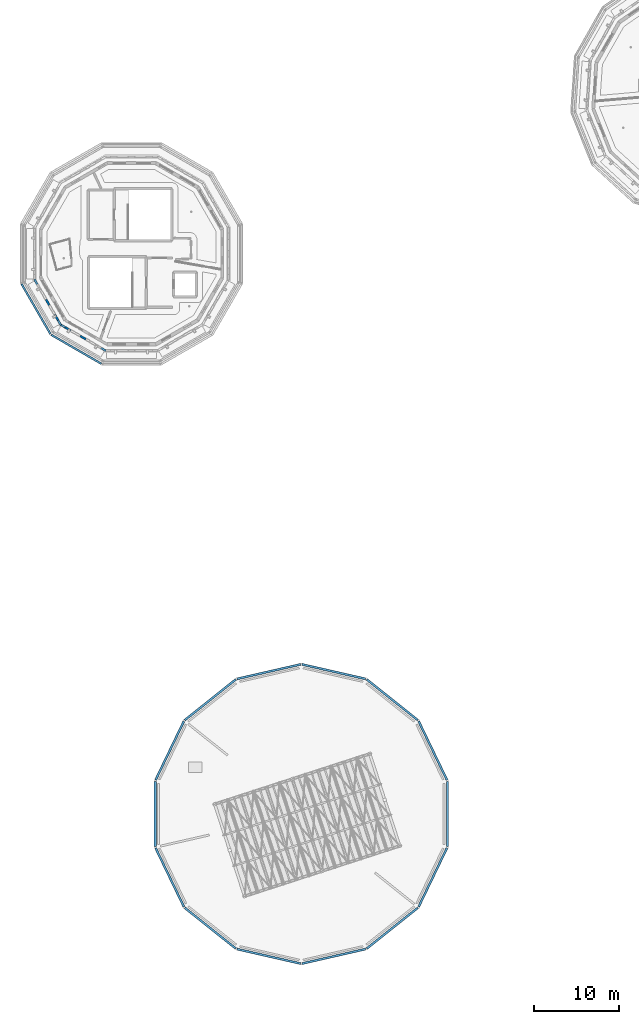
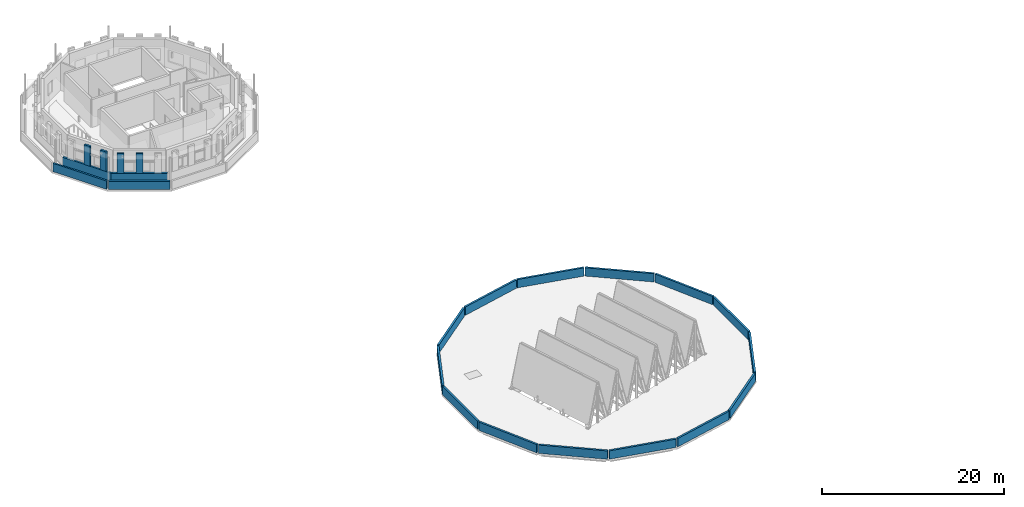
# One storey, part 35 of 51: 22 walls.
"""IFC4 building model written with IfcOpenShell, lengths in metres."""

from ifc_helpers import new_model, si_unit, direction, frame, frame_2d, origin, place, context, subcontext, project, spatial, rectangle, extrude, material, layer, layer_set, type_object, element, save


model = new_model("IFC4")

# Units and contexts
model_context = context("Model", 3, precision=1e-05, world=origin(), true_north=direction((0.0, 1.0)))
body_context = subcontext(model_context, "Body", "Model", "MODEL_VIEW")
ifc_project = project(units=[si_unit("LENGTHUNIT", "METRE"), si_unit("AREAUNIT", "SQUARE_METRE"), si_unit("VOLUMEUNIT", "CUBIC_METRE"), si_unit("PLANEANGLEUNIT", "RADIAN"), si_unit("MASSUNIT", "GRAM", prefix="KILO")], contexts=[model_context])

# Site, building, storey
site_placement = place(None, origin())
site = spatial("IfcSite", under=ifc_project, at=site_placement, CompositionType="ELEMENT")
building_placement = place(site_placement, origin())
building = spatial("IfcBuilding", under=site, at=building_placement, Name="Wrenclough Park School", CompositionType="ELEMENT")
storey_placement = place(building_placement, frame((0.0, 0.0, 16.800048828125)))
storey = spatial("IfcBuildingStorey", under=building, at=storey_placement, Name="L04", CompositionType="ELEMENT", Elevation=16.800048828125)

# Walls
ifc_material_1 = material(Name="Perforated open-bond Staffordshire and Manchester brick screen pier", Category="masonry")
ifc_layer_1 = layer(ifc_material_1, 0.2451171875)
ifc_layer_set_1 = layer_set([ifc_layer_1], Name="Perforated open-bond Staffordshire and Manchester brick screen pier")
wall_type_1 = type_object("IfcWallType", Name="ENV-BS-PR245", PredefinedType="ELEMENTEDWALL", material=ifc_layer_set_1)
for number, where, z_axis, x_axis, name in (
    (1, (6.427734375, 84.12353515625, 1.08984375), (0.0, 0.0, 1.0), (0.49987077196, -0.866100000774, 0.0), "D3 L04 perforated brick screen pier 0903"),
    (2, (7.462890625, 82.330322265625, 1.08984375), (0.0, 0.0, 1.0), (0.500111695708, -0.865960906633, 0.0), "D3 L04 perforated brick screen pier 0904"),
    (3, (8.672119140625, 80.843017578125, 1.08984375), (0.0, 0.0, 1.0), (0.865960906633, -0.500111695708, 0.0), "D3 L04 perforated brick screen pier 0905"),
    (4, (10.46533203125, 79.8076171875, 1.08984375), (0.0, 0.0, 1.0), (0.866100000774, -0.49987077196, 0.0), "D3 L04 perforated brick screen pier 0906"),
):
    element("IfcWall", number, at=place(storey_placement, frame(where, z_axis=z_axis, x_axis=x_axis)), inside=storey, type_object=wall_type_1, Name=name, PredefinedType="ELEMENTEDWALL", context=body_context, shape_type="SweptSolid", body=[
        extrude(rectangle(XDim=0.760009765625, YDim=0.2451171875, at=frame_2d((0.3798828125, 0.0))), origin(), (0.0, 0.0, 1.0), 2.650146484375),
    ])
ifc_material_2 = material(Name="Open-bond Manchester multi-stock brick spandrel screen", Category="masonry")
ifc_layer_2 = layer(ifc_material_2, 0.22509765625)
ifc_layer_set_2 = layer_set([ifc_layer_2], Name="Open-bond Manchester multi-stock brick spandrel screen")
wall_type_2 = type_object("IfcWallType", Name="ENV-BS-SP225", PredefinedType="ELEMENTEDWALL", material=ifc_layer_set_2)
for number, where, z_axis, x_axis, name in (
    (5, (5.064697265625, 86.484130859375, 0.0), (0.0, 0.0, 1.0), (0.500019578005, -0.866014100123, 0.0), "D3 L04 open-bond brick screen spandrel 0246"),
    (6, (8.104736328125, 81.170654296875, 0.0), (0.0, 0.0, 1.0), (0.866014100123, -0.500019578005, 0.0), "D3 L04 open-bond brick screen spandrel 0247"),
):
    element("IfcWall", number, at=place(storey_placement, frame(where, z_axis=z_axis, x_axis=x_axis)), inside=storey, type_object=wall_type_2, Name=name, PredefinedType="ELEMENTEDWALL", context=body_context, shape_type="SweptSolid", body=[
        extrude(rectangle(XDim=6.211669921875, YDim=0.22509765625, at=frame_2d((3.10595703125, 0.0))), origin(), (0.0, 0.0, 1.0), 1.08984375),
    ])
ifc_material_3 = material(Name="Capped Staffordshire blue-grey brick parapet", Category="masonry")
ifc_layer_3 = layer(ifc_material_3, 0.215087890625)
ifc_layer_set_3 = layer_set([ifc_layer_3], Name="Capped Staffordshire blue-grey brick parapet")
wall_type_3 = type_object("IfcWallType", Name="ENV-PW-215", PredefinedType="PARAPET", material=ifc_layer_set_3)
for number, where, z_axis, x_axis, name in (
    (7, (3.54248046875, 85.94482421875, 0.0), (0.0, 0.0, 1.0), (0.499992841449, -0.866029536736, 0.0), "D3-STEP-ROOF cylindrical drum parapet wall 037"),
    (8, (7.055908203125, 79.9423828125, 0.0), (0.0, 0.0, 1.0), (0.866029536736, -0.499992841449, 0.0), "D3-STEP-ROOF cylindrical drum parapet wall 038"),
):
    element("IfcWall", number, at=place(storey_placement, frame(where, z_axis=z_axis, x_axis=x_axis)), inside=storey, type_object=wall_type_3, Name=name, PredefinedType="PARAPET", context=body_context, shape_type="SweptSolid", body=[
        extrude(rectangle(XDim=6.7998046875, YDim=0.215087890625, at=frame_2d((3.39990234375, 0.0))), origin(), (0.0, 0.0, 1.0), 1.119873046875),
    ])
ifc_material_4 = material(Name="Capped Manchester multi-stock brick parapet", Category="masonry")
ifc_layer_4 = layer(ifc_material_4, 0.239990234375)
ifc_layer_set_4 = layer_set([ifc_layer_4], Name="Capped Manchester multi-stock brick parapet")
wall_type_4 = type_object("IfcWallType", Name="ENV-PW-240", PredefinedType="PARAPET", material=ifc_layer_set_4)
wall_1_placement = place(storey_placement, frame((53.66650390625, 27.50390625, 0.0), z_axis=(0.0, 0.0, 1.0), x_axis=(-0.433892064633, 0.900964858498, 0.0)))
element("IfcWall", 9, at=wall_1_placement, inside=storey, type_object=wall_type_4, Name="D2-ROOF-RING cylindrical drum parapet wall 017", PredefinedType="PARAPET", context=body_context, shape_type="SweptSolid", body=[
    extrude(rectangle(XDim=7.681640625, YDim=0.239990234375, at=frame_2d((3.8408203125, 0.0))), origin(), (0.0, 0.0, 1.0), 1.119873046875),
])
for number, where, z_axis, x_axis, name in (
    (10, (50.229248046875, 34.5556640625, 0.0), (0.0, 0.0, 1.0), (-0.781829086815, 0.6234928059, 0.0), "D2-ROOF-RING cylindrical drum parapet wall 018"),
    (11, (44.07275390625, 39.417724609375, 0.0), (0.0, 0.0, 1.0), (-0.9749251323, 0.222533113064, 0.0), "D2-ROOF-RING cylindrical drum parapet wall 019"),
    (12, (36.41650390625, 41.127197265625, 0.0), (0.0, 0.0, 1.0), (-0.9749251323, -0.222533113064, 0.0), "D2-ROOF-RING cylindrical drum parapet wall 020"),
    (13, (28.776611328125, 39.34521484375, 0.0), (0.0, 0.0, 1.0), (-0.781829086815, -0.6234928059, 0.0), "D2-ROOF-RING cylindrical drum parapet wall 021"),
    (14, (22.66650390625, 34.425048828125, 0.0), (0.0, 0.0, 1.0), (-0.43387964056, -0.900970841652, 0.0), "D2-ROOF-RING cylindrical drum parapet wall 022"),
):
    element("IfcWall", number, at=place(storey_placement, frame(where, z_axis=z_axis, x_axis=x_axis)), inside=storey, type_object=wall_type_4, Name=name, PredefinedType="PARAPET", context=body_context, shape_type="SweptSolid", body=[
        extrude(rectangle(XDim=7.681884765625, YDim=0.239990234375, at=frame_2d((3.8408203125, 0.0))), origin(), (0.0, 0.0, 1.0), 1.119873046875),
    ])
for number, where, z_axis, x_axis, name in (
    (15, (19.29638671875, 27.3408203125, 0.0), (0.0, 0.0, 1.0), (0.0, -1.0, 0.0), "D2-ROOF-RING cylindrical drum parapet wall 023"),
    (16, (19.33349609375, 19.49609375, 0.0), (0.0, 0.0, 1.0), (0.433892064633, -0.900964858498, 0.0), "D2-ROOF-RING cylindrical drum parapet wall 024"),
):
    element("IfcWall", number, at=place(storey_placement, frame(where, z_axis=z_axis, x_axis=x_axis)), inside=storey, type_object=wall_type_4, Name=name, PredefinedType="PARAPET", context=body_context, shape_type="SweptSolid", body=[
        extrude(rectangle(XDim=7.681640625, YDim=0.239990234375, at=frame_2d((3.8408203125, 0.0))), origin(), (0.0, 0.0, 1.0), 1.119873046875),
    ])
for number, where, z_axis, x_axis, name in (
    (17, (22.770751953125, 12.4443359375, 0.0), (0.0, 0.0, 1.0), (0.781829086815, -0.6234928059, 0.0), "D2-ROOF-RING cylindrical drum parapet wall 025"),
    (18, (28.92724609375, 7.582275390625, 0.0), (0.0, 0.0, 1.0), (0.9749251323, -0.222533113064, 0.0), "D2-ROOF-RING cylindrical drum parapet wall 026"),
    (19, (36.58349609375, 5.872802734375, 0.0), (0.0, 0.0, 1.0), (0.9749251323, 0.222533113064, 0.0), "D2-ROOF-RING cylindrical drum parapet wall 027"),
    (20, (44.223388671875, 7.65478515625, 0.0), (0.0, 0.0, 1.0), (0.781829086815, 0.6234928059, 0.0), "D2-ROOF-RING cylindrical drum parapet wall 028"),
    (21, (50.33349609375, 12.574951171875, 0.0), (0.0, 0.0, 1.0), (0.43387964056, 0.900970841652, 0.0), "D2-ROOF-RING cylindrical drum parapet wall 029"),
):
    element("IfcWall", number, at=place(storey_placement, frame(where, z_axis=z_axis, x_axis=x_axis)), inside=storey, type_object=wall_type_4, Name=name, PredefinedType="PARAPET", context=body_context, shape_type="SweptSolid", body=[
        extrude(rectangle(XDim=7.681884765625, YDim=0.239990234375, at=frame_2d((3.8408203125, 0.0))), origin(), (0.0, 0.0, 1.0), 1.119873046875),
    ])
wall_2_placement = place(storey_placement, frame((53.70361328125, 19.6591796875, 0.0), z_axis=(0.0, 0.0, 1.0), x_axis=(0.0, 1.0, 0.0)))
element("IfcWall", 22, at=wall_2_placement, inside=storey, type_object=wall_type_4, Name="D2-ROOF-RING cylindrical drum parapet wall 030", PredefinedType="PARAPET", context=body_context, shape_type="SweptSolid", body=[
    extrude(rectangle(XDim=7.681640625, YDim=0.239990234375, at=frame_2d((3.8408203125, 0.0))), origin(), (0.0, 0.0, 1.0), 1.119873046875),
])

save(model, "model.ifc")
